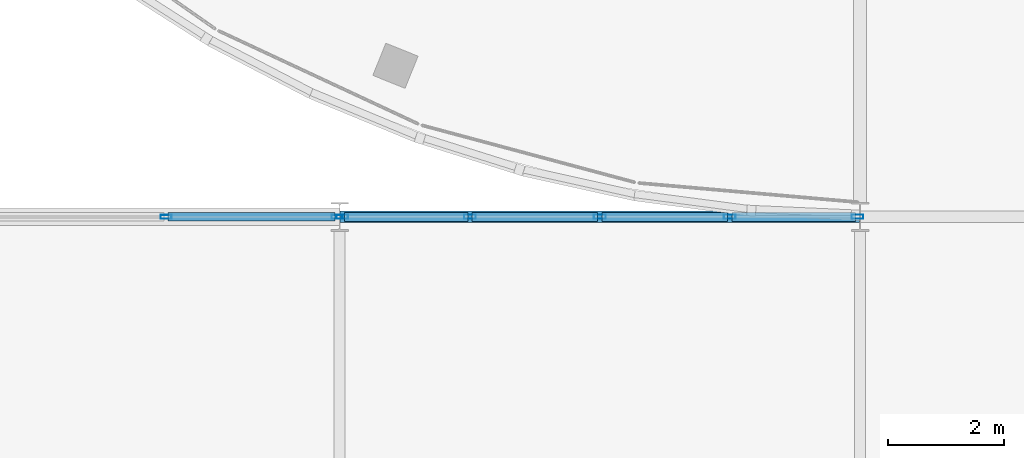
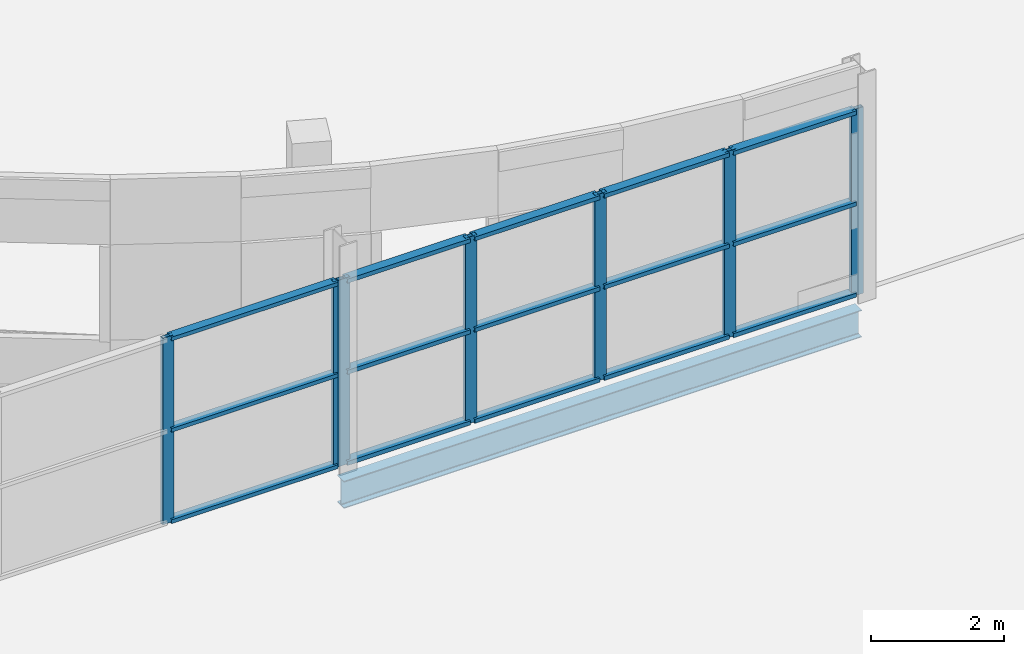
# One storey, part 68 of 135: 22 members, 1 beam, 2 elements without a shape of their own.
"""IFC4 building model written with IfcOpenShell, lengths in metres."""

import ifcopenshell
import ifcopenshell.guid

model = None  # the IFC model being written
_history = None  # IfcOwnerHistory: only IFC2X3 demands one
_inside = {}  # id of a spatial element -> (the spatial element, [elements in it])
_under = {}  # id of a project, library or spatial element -> (it, [spatial elements below it])
_declared = {}  # id of a project -> (the project, [libraries it declares])
_typed = {}  # id of a type object -> (the type object, [elements of that type])
_made_of = {}  # id of a material, layer set ... -> (it, [elements and type objects made of it])


def new_model(schema):
    """Start an empty IFC model of exactly this schema.

    Asked for "IFC4X3", IfcOpenShell would pick the latest addendum, in which some entities
    have other attributes; the version numbers below select the first issue.
    IFC2X3 requires an IfcOwnerHistory on every rooted entity: one is made here for all.
    """
    global model, _history
    if schema == "IFC4X3":
        model = ifcopenshell.file(schema_version=(4, 3, 0, 0))
    else:
        model = ifcopenshell.file(schema=schema)
    _inside.clear()
    _under.clear()
    _declared.clear()
    _typed.clear()
    _made_of.clear()
    _history = None
    if model.schema == "IFC2X3":
        org = make("IfcOrganization", Name="unknown")
        user = make(
            "IfcPersonAndOrganization",
            ThePerson=make("IfcPerson", FamilyName="unknown"),
            TheOrganization=org,
        )
        app = make(
            "IfcApplication",
            ApplicationDeveloper=org,
            Version="unknown",
            ApplicationFullName="unknown",
            ApplicationIdentifier="unknown",
        )
        _history = make(
            "IfcOwnerHistory",
            OwningUser=user,
            OwningApplication=app,
            ChangeAction="ADDED",
            CreationDate=0,
        )
    return model


def make(cls, **values):
    """One entity of the class cls with the attributes given. An attribute that is None is left unset."""
    return model.create_entity(
        cls, **{name: value for name, value in values.items() if value is not None}
    )


def rooted(cls, **values):
    """An entity with a GlobalId (a new one), such as an element, a storey or a relation."""
    return make(cls, GlobalId=ifcopenshell.guid.new(), OwnerHistory=_history, **values)


def si_unit(unit_type, name, prefix=None):
    """IfcSIUnit, for example si_unit("LENGTHUNIT", "METRE", prefix="MILLI")."""
    return make("IfcSIUnit", UnitType=unit_type, Prefix=prefix, Name=name)


def assignment(units):
    """IfcUnitAssignment: the units of a project."""
    return None if units is None else make("IfcUnitAssignment", Units=units)


def point(xyz):
    """IfcCartesianPoint."""
    return None if xyz is None else make("IfcCartesianPoint", Coordinates=xyz)


def direction(xyz):
    """IfcDirection."""
    return None if xyz is None else make("IfcDirection", DirectionRatios=xyz)


def frame(location, z_axis=None, x_axis=None):
    """IfcAxis2Placement3D, a coordinate frame: its origin and axes. An axis left out is left unset."""
    return make(
        "IfcAxis2Placement3D",
        Location=point(location),
        Axis=direction(z_axis),
        RefDirection=direction(x_axis),
    )


def frame_2d(location, x_axis=None):
    """IfcAxis2Placement2D, a coordinate frame in the plane: its origin and x axis."""
    return make(
        "IfcAxis2Placement2D", Location=point(location), RefDirection=direction(x_axis)
    )


def origin():
    """The frame at (0, 0, 0) with its axes left unset."""
    return frame((0.0, 0.0, 0.0))


def origin_2d():
    """The frame at (0, 0) in the plane with its x axis left unset."""
    return frame_2d((0.0, 0.0))


def place(relative_to, where):
    """IfcLocalPlacement: puts the frame where relative to a parent placement (None: the world)."""
    return make(
        "IfcLocalPlacement", PlacementRelTo=relative_to, RelativePlacement=where
    )


def context(
    kind, dimensions, precision=None, world=None, true_north=None, identifier=None
):
    """IfcGeometricRepresentationContext, for example the 3D "Model" context."""
    return make(
        "IfcGeometricRepresentationContext",
        ContextIdentifier=identifier,
        ContextType=kind,
        CoordinateSpaceDimension=dimensions,
        Precision=precision,
        WorldCoordinateSystem=world,
        TrueNorth=true_north,
    )


def subcontext(parent, identifier, kind, view, scale=None):
    """IfcGeometricRepresentationSubContext, for example "Body" below "Model"."""
    return make(
        "IfcGeometricRepresentationSubContext",
        ContextIdentifier=identifier,
        ContextType=kind,
        ParentContext=parent,
        TargetScale=scale,
        TargetView=view,
    )


def project(units=None, contexts=None):
    """IfcProject with its units and contexts."""
    return rooted(
        "IfcProject",
        Name="project",
        RepresentationContexts=contexts,
        UnitsInContext=assignment(units),
    )


def spatial(cls, under=None, at=None, **own):
    """A site, building, storey or space (cls), placed at a placement, below another one or the project."""
    s = rooted(cls, ObjectPlacement=at, **own)
    if under is not None:
        _under.setdefault(under.id(), (under, []))[1].append(s)
    return s


def profile(cls, at=None, kind="AREA", **sizes):
    """A parametric profile (cls). Its sizes go by their IFC names, for example OverallWidth=200.0."""
    return make(cls, ProfileType=kind, Position=at, **sizes)


def hollow_rectangle(**sizes):
    """IfcRectangleHollowProfileDef."""
    return profile("IfcRectangleHollowProfileDef", **sizes)


def i_section(**sizes):
    """IfcIShapeProfileDef."""
    return profile("IfcIShapeProfileDef", **sizes)


def extrude(swept, where, along, depth):
    """IfcExtrudedAreaSolid: the profile swept, set in the frame where, extruded along a direction by depth."""
    return make(
        "IfcExtrudedAreaSolid",
        SweptArea=swept,
        Position=where,
        ExtrudedDirection=direction(along),
        Depth=depth,
    )


def shape(context_of_items, identifier, shape_type, items):
    """IfcShapeRepresentation: the items that make up one representation, for example the "Body"."""
    return make(
        "IfcShapeRepresentation",
        ContextOfItems=context_of_items,
        RepresentationIdentifier=identifier,
        RepresentationType=shape_type,
        Items=items,
    )


def material(Name=None, Category=None):
    """IfcMaterial."""
    return make("IfcMaterial", Name=Name, Category=Category)


def layer(
    of_material, thickness, ventilated=None, Name=None, Category=None, Priority=None
):
    """IfcMaterialLayer: one layer of a wall or slab, of a material (None: an air gap)."""
    return make(
        "IfcMaterialLayer",
        Material=of_material,
        LayerThickness=thickness,
        IsVentilated=ventilated,
        Name=Name,
        Category=Category,
        Priority=Priority,
    )


def layer_set(layers, Name=None):
    """IfcMaterialLayerSet."""
    return make("IfcMaterialLayerSet", MaterialLayers=layers, LayerSetName=Name)


def material_profile(
    of_material, cross_section, Name=None, Category=None, Priority=None
):
    """IfcMaterialProfile: a cross section and its material."""
    return make(
        "IfcMaterialProfile",
        Name=Name,
        Material=of_material,
        Profile=cross_section,
        Priority=Priority,
        Category=Category,
    )


def profile_set(profiles, Name=None, composite=None):
    """IfcMaterialProfileSet."""
    return make(
        "IfcMaterialProfileSet",
        Name=Name,
        MaterialProfiles=profiles,
        CompositeProfile=composite,
    )


def made_of(thing, what):
    """Note that an element or type object is made of a material, layer set ...; save() writes the relation."""
    if what is not None:
        _made_of.setdefault(what.id(), (what, []))[1].append(thing)
    return thing


def type_object(cls, material=None, **own):
    """A type object (cls), such as IfcWallType, which elements share."""
    return made_of(rooted(cls, **own), material)


def element(
    cls,
    number,
    at=None,
    inside=None,
    cuts=None,
    type_object=None,
    material=None,
    context=None,
    identifier="Body",
    shape_type=None,
    held_by="IfcProductDefinitionShape",
    body=None,
    shapes=None,
    **own,
):
    """One element of the class cls, such as IfcWall. Its Tag is "e" and its number.

    at: its placement. inside: the storey or other place that contains it. cuts: it is an
    opening in that element (IfcRelVoidsElement). A single representation is given by context,
    identifier, shape_type and body (its items); several are given by shapes. held_by: the class
    of the entity that holds the representations. save() writes the other relations.
    """
    e = rooted(cls, Tag="e%d" % number, ObjectPlacement=at, **own)
    if body is not None:
        shapes = [shape(context, identifier, shape_type, body)]
    if shapes is not None:
        e.Representation = make(held_by, Representations=shapes)
    if inside is not None:
        _inside.setdefault(inside.id(), (inside, []))[1].append(e)
    if cuts is not None:
        rooted(
            "IfcRelVoidsElement", RelatingBuildingElement=cuts, RelatedOpeningElement=e
        )
    if type_object is not None:
        _typed.setdefault(type_object.id(), (type_object, []))[1].append(e)
    return made_of(e, material)


def aggregate(whole, parts):
    """IfcRelAggregates: a whole, such as a stair, and the parts it consists of."""
    return rooted("IfcRelAggregates", RelatingObject=whole, RelatedObjects=parts)


def save(model, path):
    """Write the relations noted so far, then the file.

    IfcRelAggregates (storeys below a building ...), IfcRelContainedInSpatialStructure (elements
    in a storey), IfcRelDefinesByType, IfcRelAssociatesMaterial and IfcRelDeclares: one each for
    every whole, place, type object, material and project.
    """
    for whole, parts in _under.values():
        aggregate(whole, parts)
    for where, things in _inside.values():
        rooted(
            "IfcRelContainedInSpatialStructure",
            RelatedElements=things,
            RelatingStructure=where,
        )
    for kind, things in _typed.values():
        rooted("IfcRelDefinesByType", RelatedObjects=things, RelatingType=kind)
    for what, things in _made_of.values():
        rooted("IfcRelAssociatesMaterial", RelatedObjects=things, RelatingMaterial=what)
    for by, libraries in _declared.values():
        rooted("IfcRelDeclares", RelatingContext=by, RelatedDefinitions=libraries)
    model.write(path)


model = new_model("IFC4")

# Units and contexts
model_context = context("Model", 3, precision=1e-05, world=origin(), true_north=direction((0.0, 1.0)))
body_context = subcontext(model_context, "Body", "Model", "MODEL_VIEW")
ifc_project = project(units=[si_unit("LENGTHUNIT", "METRE"), si_unit("AREAUNIT", "SQUARE_METRE"), si_unit("VOLUMEUNIT", "CUBIC_METRE"), si_unit("PLANEANGLEUNIT", "RADIAN"), si_unit("MASSUNIT", "GRAM", prefix="KILO")], contexts=[model_context])

# Site, building, storey
site_placement = place(None, origin())
site = spatial("IfcSite", under=ifc_project, at=site_placement, CompositionType="ELEMENT")
building_placement = place(site_placement, origin())
building = spatial("IfcBuilding", under=site, at=building_placement, Name="Deido Ridge Mobility Hub", CompositionType="ELEMENT")
storey_placement = place(building_placement, frame((0.0, 0.0, 4.199951171875)))
storey = spatial("IfcBuildingStorey", under=building, at=storey_placement, Name="L01", CompositionType="ELEMENT", Elevation=4.199951171875)

# Beam
ifc_material_1 = material(Name="Steel S355J2 EN 10025-2", Category="steel")
ifc_material_profile_1 = material_profile(ifc_material_1, i_section(OverallWidth=0.199951171875, OverallDepth=0.5, WebThickness=0.01025390625, FlangeThickness=0.01611328125, FilletRadius=0.02099609375, at=origin_2d()), Name="IPE 500")
ifc_profile_set_1 = profile_set([ifc_material_profile_1], Name="Steel S355J2 EN 10025-2")
beam_type = type_object("IfcBeamType", Name="BM-IPE500", PredefinedType="BEAM", material=ifc_profile_set_1)
beam_placement = place(storey_placement, frame((36.007080078125, 81.0, -0.5), z_axis=(1.0, 0.0, 0.0), x_axis=(0.0, 1.0, 0.0)))
element("IfcBeam", 1, at=beam_placement, inside=storey, type_object=beam_type, Name="Floor beam B3", PredefinedType="BEAM", context=body_context, shape_type="SweptSolid", body=[
    extrude(i_section(OverallWidth=0.199951171875, OverallDepth=0.5, WebThickness=0.01025390625, FlangeThickness=0.01611328125, FilletRadius=0.02099609375, at=origin_2d()), origin(), (0.0, 0.0, 1.0), 8.98583984375),
])

# Curtain wall, members
ifc_material_2 = material(Name="Anodised aluminium EN AW-6063 T6", Category="aluminium")
ifc_layer_1 = layer(ifc_material_2, 0.16796875, Name="Anodised aluminium EN AW-6063 T6")
ifc_layer_set_1 = layer_set([ifc_layer_1], Name="Anodised aluminium EN AW-6063 T6")
curtain_wall_type_1 = type_object("IfcCurtainWallType", Name="CW-GS-4", PredefinedType="USERDEFINED", material=ifc_layer_set_1)
curtain_wall_1_placement = place(storey_placement, origin())
curtain_wall_1 = element("IfcCurtainWall", 2, at=curtain_wall_1_placement, inside=storey, type_object=curtain_wall_type_1, Name="Unitised curtain wall GS4", ObjectType="GLAZED SCREEN", PredefinedType="USERDEFINED")
ifc_material_profile_2 = material_profile(ifc_material_2, hollow_rectangle(XDim=0.070068359375, YDim=0.18994140625, WallThickness=0.00390625, at=origin_2d()), Name="RHS 70x190x4")
ifc_profile_set_2 = profile_set([ifc_material_profile_2], Name="Anodised aluminium EN AW-6063 T6")
member_type_1 = type_object("IfcMemberType", Name="MEM-MUL-70X190", PredefinedType="MULLION", material=ifc_profile_set_2)
member_1_placement = place(storey_placement, frame((32.99755859375, 81.0, 0.0), z_axis=(0.0, 0.0, 1.0), x_axis=(0.0, 1.0, 0.0)))
member_1 = element("IfcMember", 3, at=member_1_placement, type_object=member_type_1, Name="GS4 mullion 3", PredefinedType="MULLION", context=body_context, shape_type="SweptSolid", body=[
    extrude(hollow_rectangle(XDim=0.070068359375, YDim=0.18994140625, WallThickness=0.00390625, at=origin_2d()), origin(), (0.0, 0.0, 1.0), 3.420166015625),
])
member_2_placement = place(storey_placement, frame((35.957763671875, 81.0, 0.0), z_axis=(0.0, 0.0, 1.0), x_axis=(0.0, 1.0, 0.0)))
member_2 = element("IfcMember", 4, at=member_2_placement, type_object=member_type_1, Name="GS4 mullion 4", PredefinedType="MULLION", context=body_context, shape_type="SweptSolid", body=[
    extrude(hollow_rectangle(XDim=0.070068359375, YDim=0.18994140625, WallThickness=0.00390625, at=origin_2d()), origin(), (0.0, 0.0, 1.0), 3.420166015625),
])

ifc_layer_2 = layer(ifc_material_2, 0.132080078125, Name="Anodised aluminium EN AW-6063 T6")
ifc_layer_set_2 = layer_set([ifc_layer_2], Name="Anodised aluminium EN AW-6063 T6")
curtain_wall_type_2 = type_object("IfcCurtainWallType", Name="CW-GS-1", PredefinedType="USERDEFINED", material=ifc_layer_set_2)
curtain_wall_2_placement = place(storey_placement, origin())
curtain_wall_2 = element("IfcCurtainWall", 5, at=curtain_wall_2_placement, inside=storey, type_object=curtain_wall_type_2, Name="Unitised curtain wall GS1", ObjectType="GLAZED SCREEN", PredefinedType="USERDEFINED")
ifc_material_profile_3 = material_profile(ifc_material_2, hollow_rectangle(XDim=0.074951171875, YDim=0.205078125, WallThickness=0.00390625, at=origin_2d()), Name="RHS 75x205x4")
ifc_profile_set_3 = profile_set([ifc_material_profile_3], Name="Anodised aluminium EN AW-6063 T6")
member_type_2 = type_object("IfcMemberType", Name="MEM-MUL-75X205", PredefinedType="MULLION", material=ifc_profile_set_3)
member_3_placement = place(storey_placement, frame((36.044677734375, 81.0, 0.0), z_axis=(0.0, 0.0, 1.0), x_axis=(0.0, 1.0, 0.0)))
member_3 = element("IfcMember", 6, at=member_3_placement, type_object=member_type_2, Name="GS1 mullion 1", PredefinedType="MULLION", context=body_context, shape_type="SweptSolid", body=[
    extrude(hollow_rectangle(XDim=0.074951171875, YDim=0.205078125, WallThickness=0.00390625, at=origin_2d()), origin(), (0.0, 0.0, 1.0), 3.420166015625),
])
member_4_placement = place(storey_placement, frame((38.253662109375, 81.0, 0.0), z_axis=(0.0, 0.0, 1.0), x_axis=(0.0, 1.0, 0.0)))
member_4 = element("IfcMember", 7, at=member_4_placement, type_object=member_type_2, Name="GS1 mullion 2", PredefinedType="MULLION", context=body_context, shape_type="SweptSolid", body=[
    extrude(hollow_rectangle(XDim=0.074951171875, YDim=0.205078125, WallThickness=0.00390625, at=origin_2d()), origin(), (0.0, 0.0, 1.0), 3.420166015625),
])
member_5_placement = place(storey_placement, frame((40.5, 81.0, 0.0), z_axis=(0.0, 0.0, 1.0), x_axis=(0.0, 1.0, 0.0)))
member_5 = element("IfcMember", 8, at=member_5_placement, type_object=member_type_2, Name="GS1 mullion 3", PredefinedType="MULLION", context=body_context, shape_type="SweptSolid", body=[
    extrude(hollow_rectangle(XDim=0.074951171875, YDim=0.205078125, WallThickness=0.00390625, at=origin_2d()), origin(), (0.0, 0.0, 1.0), 3.420166015625),
])
member_6_placement = place(storey_placement, frame((42.746337890625, 81.0, 0.0), z_axis=(0.0, 0.0, 1.0), x_axis=(0.0, 1.0, 0.0)))
member_6 = element("IfcMember", 9, at=member_6_placement, type_object=member_type_2, Name="GS1 mullion 4", PredefinedType="MULLION", context=body_context, shape_type="SweptSolid", body=[
    extrude(hollow_rectangle(XDim=0.074951171875, YDim=0.205078125, WallThickness=0.00390625, at=origin_2d()), origin(), (0.0, 0.0, 1.0), 3.420166015625),
])
member_7_placement = place(storey_placement, frame((44.955322265625, 81.0, 0.0), z_axis=(0.0, 0.0, 1.0), x_axis=(0.0, 1.0, 0.0)))
member_7 = element("IfcMember", 10, at=member_7_placement, type_object=member_type_2, Name="GS1 mullion 5", PredefinedType="MULLION", context=body_context, shape_type="SweptSolid", body=[
    extrude(hollow_rectangle(XDim=0.074951171875, YDim=0.205078125, WallThickness=0.00390625, at=origin_2d()), origin(), (0.0, 0.0, 1.0), 3.420166015625),
])

# Member
ifc_material_profile_4 = material_profile(ifc_material_2, hollow_rectangle(XDim=0.14501953125, YDim=0.070068359375, WallThickness=0.00390625, at=origin_2d()), Name="RHS 145x70x4")
ifc_profile_set_4 = profile_set([ifc_material_profile_4], Name="Anodised aluminium EN AW-6063 T6")
member_type_3 = type_object("IfcMemberType", Name="MEM-TRN-145X70", PredefinedType="USERDEFINED", material=ifc_profile_set_4)
member_8_placement = place(storey_placement, frame((33.03271484375, 81.0, 0.03515625), z_axis=(1.0, 0.0, 0.0), x_axis=(0.0, 1.0, 0.0)))
member_8 = element("IfcMember", 11, at=member_8_placement, type_object=member_type_3, Name="GS4 transom 3.1", ObjectType="TRANSOM", PredefinedType="USERDEFINED", context=body_context, shape_type="SweptSolid", body=[
    extrude(hollow_rectangle(XDim=0.14501953125, YDim=0.070068359375, WallThickness=0.00390625, at=origin_2d()), origin(), (0.0, 0.0, 1.0), 2.89013671875),
])

member_9_placement = place(storey_placement, frame((33.03271484375, 81.0, 1.7099609375), z_axis=(1.0, 0.0, 0.0), x_axis=(0.0, 1.0, 0.0)))
member_9 = element("IfcMember", 12, at=member_9_placement, type_object=member_type_3, Name="GS4 transom 3.2", ObjectType="TRANSOM", PredefinedType="USERDEFINED", context=body_context, shape_type="SweptSolid", body=[
    extrude(hollow_rectangle(XDim=0.14501953125, YDim=0.070068359375, WallThickness=0.00390625, at=origin_2d()), origin(), (0.0, 0.0, 1.0), 2.89013671875),
])

member_10_placement = place(storey_placement, frame((33.03271484375, 81.0, 3.385009765625), z_axis=(1.0, 0.0, 0.0), x_axis=(0.0, 1.0, 0.0)))
member_10 = element("IfcMember", 13, at=member_10_placement, type_object=member_type_3, Name="GS4 transom 3.3", ObjectType="TRANSOM", PredefinedType="USERDEFINED", context=body_context, shape_type="SweptSolid", body=[
    extrude(hollow_rectangle(XDim=0.14501953125, YDim=0.070068359375, WallThickness=0.00390625, at=origin_2d()), origin(), (0.0, 0.0, 1.0), 2.89013671875),
])

aggregate(curtain_wall_1, [member_1, member_2, member_8, member_9, member_10])

ifc_material_profile_5 = material_profile(ifc_material_2, hollow_rectangle(XDim=0.155029296875, YDim=0.074951171875, WallThickness=0.00390625, at=origin_2d()), Name="RHS 155x75x4")
ifc_profile_set_5 = profile_set([ifc_material_profile_5], Name="Anodised aluminium EN AW-6063 T6")
member_type_4 = type_object("IfcMemberType", Name="MEM-TRN-155X75", PredefinedType="USERDEFINED", material=ifc_profile_set_5)
member_11_placement = place(storey_placement, frame((36.082275390625, 81.0, 0.03759765625), z_axis=(1.0, 0.0, 0.0), x_axis=(0.0, 1.0, 0.0)))
member_11 = element("IfcMember", 14, at=member_11_placement, type_object=member_type_4, Name="GS1 transom 1.1", ObjectType="TRANSOM", PredefinedType="USERDEFINED", context=body_context, shape_type="SweptSolid", body=[
    extrude(hollow_rectangle(XDim=0.155029296875, YDim=0.074951171875, WallThickness=0.00390625, at=origin_2d()), origin(), (0.0, 0.0, 1.0), 2.1337890625),
])

member_12_placement = place(storey_placement, frame((36.082275390625, 81.0, 1.7099609375), z_axis=(1.0, 0.0, 0.0), x_axis=(0.0, 1.0, 0.0)))
member_12 = element("IfcMember", 15, at=member_12_placement, type_object=member_type_4, Name="GS1 transom 1.2", ObjectType="TRANSOM", PredefinedType="USERDEFINED", context=body_context, shape_type="SweptSolid", body=[
    extrude(hollow_rectangle(XDim=0.155029296875, YDim=0.074951171875, WallThickness=0.00390625, at=origin_2d()), origin(), (0.0, 0.0, 1.0), 2.1337890625),
])

member_13_placement = place(storey_placement, frame((36.082275390625, 81.0, 3.382568359375), z_axis=(1.0, 0.0, 0.0), x_axis=(0.0, 1.0, 0.0)))
member_13 = element("IfcMember", 16, at=member_13_placement, type_object=member_type_4, Name="GS1 transom 1.3", ObjectType="TRANSOM", PredefinedType="USERDEFINED", context=body_context, shape_type="SweptSolid", body=[
    extrude(hollow_rectangle(XDim=0.155029296875, YDim=0.074951171875, WallThickness=0.00390625, at=origin_2d()), origin(), (0.0, 0.0, 1.0), 2.1337890625),
])

member_14_placement = place(storey_placement, frame((38.291015625, 81.0, 0.03759765625), z_axis=(1.0, 0.0, 0.0), x_axis=(0.0, 1.0, 0.0)))
member_14 = element("IfcMember", 17, at=member_14_placement, type_object=member_type_4, Name="GS1 transom 2.1", ObjectType="TRANSOM", PredefinedType="USERDEFINED", context=body_context, shape_type="SweptSolid", body=[
    extrude(hollow_rectangle(XDim=0.155029296875, YDim=0.074951171875, WallThickness=0.00390625, at=origin_2d()), origin(), (0.0, 0.0, 1.0), 2.17138671875),
])

member_15_placement = place(storey_placement, frame((38.291015625, 81.0, 1.7099609375), z_axis=(1.0, 0.0, 0.0), x_axis=(0.0, 1.0, 0.0)))
member_15 = element("IfcMember", 18, at=member_15_placement, type_object=member_type_4, Name="GS1 transom 2.2", ObjectType="TRANSOM", PredefinedType="USERDEFINED", context=body_context, shape_type="SweptSolid", body=[
    extrude(hollow_rectangle(XDim=0.155029296875, YDim=0.074951171875, WallThickness=0.00390625, at=origin_2d()), origin(), (0.0, 0.0, 1.0), 2.17138671875),
])

member_16_placement = place(storey_placement, frame((38.291015625, 81.0, 3.382568359375), z_axis=(1.0, 0.0, 0.0), x_axis=(0.0, 1.0, 0.0)))
member_16 = element("IfcMember", 19, at=member_16_placement, type_object=member_type_4, Name="GS1 transom 2.3", ObjectType="TRANSOM", PredefinedType="USERDEFINED", context=body_context, shape_type="SweptSolid", body=[
    extrude(hollow_rectangle(XDim=0.155029296875, YDim=0.074951171875, WallThickness=0.00390625, at=origin_2d()), origin(), (0.0, 0.0, 1.0), 2.17138671875),
])

member_17_placement = place(storey_placement, frame((40.53759765625, 81.0, 0.03759765625), z_axis=(1.0, 0.0, 0.0), x_axis=(0.0, 1.0, 0.0)))
member_17 = element("IfcMember", 20, at=member_17_placement, type_object=member_type_4, Name="GS1 transom 3.1", ObjectType="TRANSOM", PredefinedType="USERDEFINED", context=body_context, shape_type="SweptSolid", body=[
    extrude(hollow_rectangle(XDim=0.155029296875, YDim=0.074951171875, WallThickness=0.00390625, at=origin_2d()), origin(), (0.0, 0.0, 1.0), 2.17138671875),
])

member_18_placement = place(storey_placement, frame((40.53759765625, 81.0, 1.7099609375), z_axis=(1.0, 0.0, 0.0), x_axis=(0.0, 1.0, 0.0)))
member_18 = element("IfcMember", 21, at=member_18_placement, type_object=member_type_4, Name="GS1 transom 3.2", ObjectType="TRANSOM", PredefinedType="USERDEFINED", context=body_context, shape_type="SweptSolid", body=[
    extrude(hollow_rectangle(XDim=0.155029296875, YDim=0.074951171875, WallThickness=0.00390625, at=origin_2d()), origin(), (0.0, 0.0, 1.0), 2.17138671875),
])

member_19_placement = place(storey_placement, frame((40.53759765625, 81.0, 3.382568359375), z_axis=(1.0, 0.0, 0.0), x_axis=(0.0, 1.0, 0.0)))
member_19 = element("IfcMember", 22, at=member_19_placement, type_object=member_type_4, Name="GS1 transom 3.3", ObjectType="TRANSOM", PredefinedType="USERDEFINED", context=body_context, shape_type="SweptSolid", body=[
    extrude(hollow_rectangle(XDim=0.155029296875, YDim=0.074951171875, WallThickness=0.00390625, at=origin_2d()), origin(), (0.0, 0.0, 1.0), 2.17138671875),
])

member_20_placement = place(storey_placement, frame((42.783935546875, 81.0, 0.03759765625), z_axis=(1.0, 0.0, 0.0), x_axis=(0.0, 1.0, 0.0)))
member_20 = element("IfcMember", 23, at=member_20_placement, type_object=member_type_4, Name="GS1 transom 4.1", ObjectType="TRANSOM", PredefinedType="USERDEFINED", context=body_context, shape_type="SweptSolid", body=[
    extrude(hollow_rectangle(XDim=0.155029296875, YDim=0.074951171875, WallThickness=0.00390625, at=origin_2d()), origin(), (0.0, 0.0, 1.0), 2.1337890625),
])

member_21_placement = place(storey_placement, frame((42.783935546875, 81.0, 1.7099609375), z_axis=(1.0, 0.0, 0.0), x_axis=(0.0, 1.0, 0.0)))
member_21 = element("IfcMember", 24, at=member_21_placement, type_object=member_type_4, Name="GS1 transom 4.2", ObjectType="TRANSOM", PredefinedType="USERDEFINED", context=body_context, shape_type="SweptSolid", body=[
    extrude(hollow_rectangle(XDim=0.155029296875, YDim=0.074951171875, WallThickness=0.00390625, at=origin_2d()), origin(), (0.0, 0.0, 1.0), 2.1337890625),
])

member_22_placement = place(storey_placement, frame((42.783935546875, 81.0, 3.382568359375), z_axis=(1.0, 0.0, 0.0), x_axis=(0.0, 1.0, 0.0)))
member_22 = element("IfcMember", 25, at=member_22_placement, type_object=member_type_4, Name="GS1 transom 4.3", ObjectType="TRANSOM", PredefinedType="USERDEFINED", context=body_context, shape_type="SweptSolid", body=[
    extrude(hollow_rectangle(XDim=0.155029296875, YDim=0.074951171875, WallThickness=0.00390625, at=origin_2d()), origin(), (0.0, 0.0, 1.0), 2.1337890625),
])

aggregate(curtain_wall_2, [member_3, member_4, member_5, member_6, member_7, member_11, member_12, member_13, member_14, member_15, member_16, member_17, member_18, member_19, member_20, member_21, member_22])

save(model, "model.ifc")
